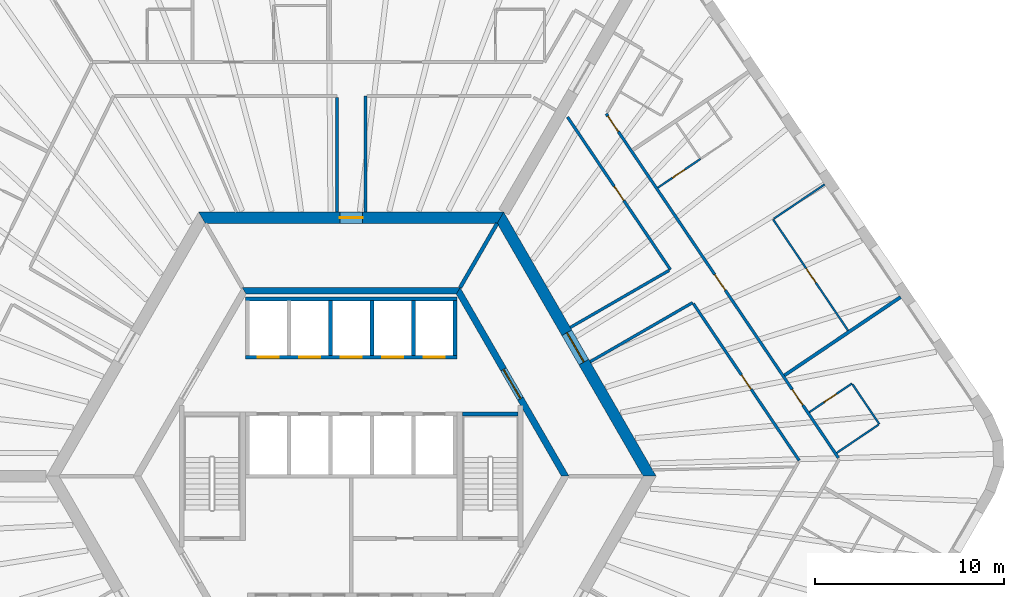
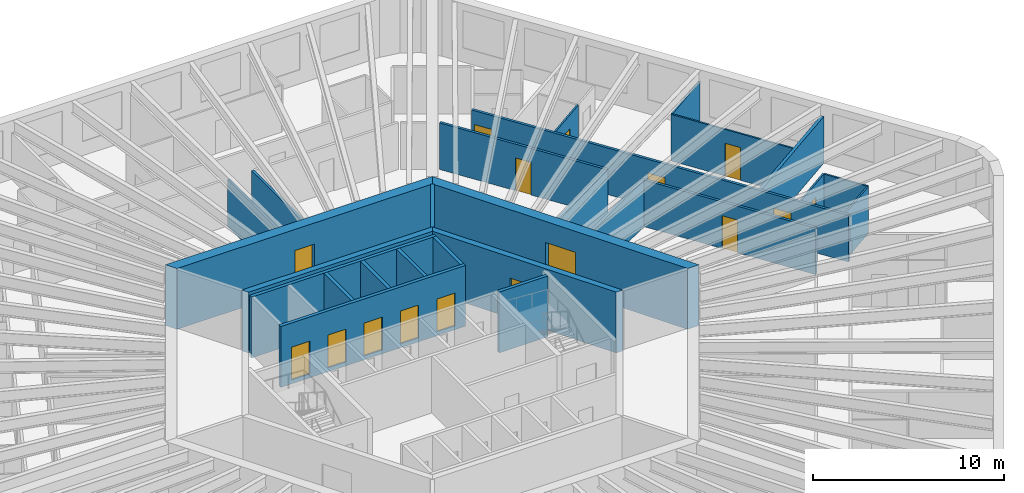
# One storey, part 9 of 12: 26 walls, 16 doors, 16 openings.
"""IFC4 building model written with IfcOpenShell, lengths in metres."""

from ifc_helpers import new_model, si_unit, direction, frame, frame_2d, origin, place, context, subcontext, project, spatial, polyline, rectangle, outline, extrude, material, layer, layer_set, type_object, element, fill, save


model = new_model("IFC4")

# Units and contexts
model_context = context("Model", 3, precision=1e-05, world=origin(), true_north=direction((0.0, 1.0)))
body_context = subcontext(model_context, "Body", "Model", "MODEL_VIEW")
ifc_project = project(units=[si_unit("LENGTHUNIT", "METRE"), si_unit("AREAUNIT", "SQUARE_METRE"), si_unit("VOLUMEUNIT", "CUBIC_METRE"), si_unit("PLANEANGLEUNIT", "RADIAN"), si_unit("MASSUNIT", "GRAM", prefix="KILO")], contexts=[model_context])

# Site, building, storey
site_placement = place(None, origin())
site = spatial("IfcSite", under=ifc_project, at=site_placement, CompositionType="ELEMENT")
building_placement = place(site_placement, origin())
building = spatial("IfcBuilding", under=site, at=building_placement, Name="Tarnside Tower", CompositionType="ELEMENT")
storey_placement = place(building_placement, frame((0.0, 0.0, 131.10009765625)))
storey = spatial("IfcBuildingStorey", under=building, at=storey_placement, Name="L30", CompositionType="ELEMENT", Elevation=131.10009765625)

# Wall, opening, door
ifc_material_1 = material(Name="Gypsum board partition on steel studs", Category="steel")
ifc_layer_1 = layer(ifc_material_1, 0.10009765625)
ifc_layer_set_1 = layer_set([ifc_layer_1], Name="Bathroom wall 100")
wall_type_1 = type_object("IfcWallType", Name="Bathroom wall 100", PredefinedType="PARTITIONING", material=ifc_layer_set_1)
wall_1_placement = place(storey_placement, frame((24.27978515625, 3.390869140625, 0.0), z_axis=(0.0, 0.0, 1.0), x_axis=(0.829005477618, 0.559240483226, 0.0)))
wall_1 = element("IfcWall", 1, at=wall_1_placement, inside=storey, type_object=wall_type_1, Name="Bathroom wall 09157", PredefinedType="PARTITIONING", context=body_context, shape_type="SweptSolid", body=[
    extrude(rectangle(XDim=2.72509765625, YDim=0.10009765625, at=frame_2d((1.362548828125, 0.0))), origin(), (0.0, 0.0, 1.0), 2.98779296875),
])
opening_1_placement = place(wall_1_placement, frame((0.925048828125, 0.0, 0.0)))
opening_1 = element("IfcOpeningElement", 2, at=opening_1_placement, cuts=wall_1, Name="Opening D-B1", PredefinedType="OPENING", context=body_context, shape_type="SweptSolid", body=[
    extrude(rectangle(XDim=0.800048828125, YDim=2.10009765625, at=frame_2d((0.39990234375, 1.050048828125))), frame((0.0, 0.06005859375, 0.0), z_axis=(0.0, -1.0, 0.0), x_axis=(1.0, 0.0, 0.0)), (0.0, 0.0, 1.0), 0.1201171875),
])
ifc_material_2 = material(Name="Timber door leaf", Category="wood")
door_type_1 = type_object("IfcDoorType", Name="Bathroom door 800", OperationType="NOTDEFINED", PredefinedType="DOOR", material=ifc_material_2)
door_1_placement = place(opening_1_placement, origin())
door_1 = element("IfcDoor", 3, at=door_1_placement, inside=storey, type_object=door_type_1, Name="Bathroom door 09038", OperationType="SINGLE_SWING_RIGHT", OverallHeight=2.10009765625, OverallWidth=0.800048828125, PredefinedType="DOOR", context=body_context, shape_type="SweptSolid", body=[
    extrude(rectangle(XDim=0.800048828125, YDim=2.10009765625, at=frame_2d((0.39990234375, 1.050048828125))), frame((0.0, 0.02490234375, 0.0), z_axis=(0.0, -1.0, 0.0), x_axis=(1.0, 0.0, 0.0)), (0.0, 0.0, 1.0), 0.050048828125),
])
fill(opening_1, door_1)

# Walls
wall_2_placement = place(storey_placement, frame((26.56689453125, 4.873291015625, 0.0), z_axis=(0.0, 0.0, 1.0), x_axis=(0.559155442782, -0.829062838878, 0.0)))
element("IfcWall", 4, at=wall_2_placement, inside=storey, type_object=wall_type_1, Name="Bathroom wall 09158", PredefinedType="PARTITIONING", context=body_context, shape_type="SweptSolid", body=[
    extrude(rectangle(XDim=2.5498046875, YDim=0.10009765625, at=frame_2d((1.27490234375, 0.0))), origin(), (0.0, 0.0, 1.0), 2.98779296875),
])
wall_3_placement = place(storey_placement, frame((27.951416015625, 2.731201171875, 0.0), z_axis=(0.0, 0.0, 1.0), x_axis=(-0.82904753069, -0.559178139645, 0.0)))
element("IfcWall", 5, at=wall_3_placement, inside=storey, type_object=wall_type_1, Name="Bathroom wall 09159", PredefinedType="PARTITIONING", context=body_context, shape_type="SweptSolid", body=[
    extrude(rectangle(XDim=2.675048828125, YDim=0.10009765625, at=frame_2d((1.33740234375, 0.0))), origin(), (0.0, 0.0, 1.0), 2.98779296875),
])

# Wall, opening, door
wall_4_placement = place(storey_placement, frame((18.51171875, 16.8154296875, 0.0), z_axis=(0.0, 0.0, 1.0), x_axis=(-0.829005477618, -0.559240483226, 0.0)))
wall_4 = element("IfcWall", 6, at=wall_4_placement, inside=storey, type_object=wall_type_1, Name="Bathroom wall 09162", PredefinedType="PARTITIONING", context=body_context, shape_type="SweptSolid", body=[
    extrude(rectangle(XDim=2.72509765625, YDim=0.10009765625, at=frame_2d((1.362548828125, 0.0))), origin(), (0.0, 0.0, 1.0), 2.98779296875),
])
opening_2_placement = place(wall_4_placement, frame((1.0, 0.0, 0.0)))
opening_2 = element("IfcOpeningElement", 7, at=opening_2_placement, cuts=wall_4, Name="Opening D-B1", PredefinedType="OPENING", context=body_context, shape_type="SweptSolid", body=[
    extrude(rectangle(XDim=0.800048828125, YDim=2.10009765625, at=frame_2d((0.39990234375, 1.050048828125))), frame((0.0, 0.06005859375, 0.0), z_axis=(0.0, -1.0, 0.0), x_axis=(1.0, 0.0, 0.0)), (0.0, 0.0, 1.0), 0.1201171875),
])
door_2_placement = place(opening_2_placement, origin())
door_2 = element("IfcDoor", 8, at=door_2_placement, inside=storey, type_object=door_type_1, Name="Bathroom door 09040", OperationType="SINGLE_SWING_LEFT", OverallHeight=2.10009765625, OverallWidth=0.800048828125, PredefinedType="DOOR", context=body_context, shape_type="SweptSolid", body=[
    extrude(rectangle(XDim=0.800048828125, YDim=2.10009765625, at=frame_2d((0.39990234375, 1.050048828125))), frame((0.0, 0.02490234375, 0.0), z_axis=(0.0, -1.0, 0.0), x_axis=(1.0, 0.0, 0.0)), (0.0, 0.0, 1.0), 0.050048828125),
])
fill(opening_2, door_2)

ifc_material_3 = material(Name="Concrete C50/60", Category="concrete")
ifc_layer_2 = layer(ifc_material_3, 0.35009765625)
ifc_layer_set_2 = layer_set([ifc_layer_2], Name="Core block wall 350 C50/60")
wall_type_2 = type_object("IfcWallType", Name="Core block wall 350 C50/60", PredefinedType="SHEAR", material=ifc_layer_set_2)
wall_5_placement = place(storey_placement, frame((11.344970703125, 0.0, -0.150146484375), z_axis=(0.0, 0.0, 1.0), x_axis=(-0.499995046907, 0.866028263435, 0.0)))
wall_5 = element("IfcWall", 9, at=wall_5_placement, inside=storey, type_object=wall_type_2, Name="L30 core block wall face 6", PredefinedType="SHEAR", context=body_context, shape_type="SweptSolid", body=[
    extrude(outline(polyline([(-0.10107421875, -0.175048828125), (11.44580078125, -0.175048828125), (11.24365234375, 0.175048828125), (0.10107421875, 0.175048828125), (-0.10107421875, -0.175048828125)])), origin(), (0.0, 0.0, 1.0), 3.900146484375),
])
opening_3_placement = place(wall_5_placement, frame((4.74365234375, 0.0, 0.14990234375)))
opening_3 = element("IfcOpeningElement", 10, at=opening_3_placement, cuts=wall_5, Name="Opening CD-LOB", PredefinedType="OPENING", context=body_context, shape_type="SweptSolid", body=[
    extrude(rectangle(XDim=1.800048828125, YDim=2.39990234375, at=frame_2d((0.89990234375, 1.199951171875))), frame((0.0, 0.18505859375, 0.0), z_axis=(0.0, -1.0, 0.0), x_axis=(1.0, 0.0, 0.0)), (0.0, 0.0, 1.0), 0.3701171875),
])
ifc_material_4 = material(Name="Steel fire door", Category="steel")
door_type_2 = type_object("IfcDoorType", Name="Lobby double door FD30S 1800x2400", OperationType="NOTDEFINED", PredefinedType="DOOR", material=ifc_material_4)
door_3_placement = place(opening_3_placement, origin())
door_3 = element("IfcDoor", 11, at=door_3_placement, inside=storey, type_object=door_type_2, Name="L30 lobby block door P2", OperationType="DOUBLE_DOOR_SINGLE_SWING", OverallHeight=2.39990234375, OverallWidth=1.800048828125, PredefinedType="DOOR", context=body_context, shape_type="SweptSolid", body=[
    extrude(rectangle(XDim=1.800048828125, YDim=2.39990234375, at=frame_2d((0.89990234375, 1.199951171875))), frame((0.0, 0.02490234375, 0.0), z_axis=(0.0, -1.0, 0.0), x_axis=(1.0, 0.0, 0.0)), (0.0, 0.0, 1.0), 0.050048828125),
])
fill(opening_3, door_3)

# Wall
wall_6_placement = place(storey_placement, frame((5.672607421875, 9.824951171875, -0.150146484375), z_axis=(0.0, 0.0, 1.0), x_axis=(-1.0, 0.0, 0.0)))
element("IfcWall", 12, at=wall_6_placement, inside=storey, type_object=wall_type_2, Name="L30 core block wall face 1", PredefinedType="SHEAR", context=body_context, shape_type="SweptSolid", body=[
    extrude(outline(polyline([(-0.10107421875, -0.175048828125), (11.4462890625, -0.175048828125), (11.244140625, 0.175048828125), (0.10107421875, 0.175048828125), (-0.10107421875, -0.175048828125)])), origin(), (0.0, 0.0, 1.0), 3.900146484375),
])

# Wall, opening, door
ifc_material_5 = material(Name="Concrete C80/95", Category="concrete")
ifc_layer_3 = layer(ifc_material_5, 0.60009765625)
ifc_layer_set_3 = layer_set([ifc_layer_3], Name="Core wall Z1 600 C80/95")
wall_type_3 = type_object("IfcWallType", Name="Core wall Z1 600 C80/95", PredefinedType="SHEAR", material=ifc_layer_set_3)
wall_7_placement = place(storey_placement, frame((15.8193359375, 0.0, -0.150146484375), z_axis=(0.0, 0.0, 1.0), x_axis=(-0.499999880136, 0.866025472988, 0.0)))
wall_7 = element("IfcWall", 13, at=wall_7_placement, inside=storey, type_object=wall_type_3, Name="L30 core wall face 6", PredefinedType="SHEAR", context=body_context, shape_type="SweptSolid", body=[
    extrude(outline(polyline([(-0.17333984375, -0.300048828125), (15.99267578125, -0.300048828125), (15.64599609375, 0.300048828125), (0.17333984375, 0.300048828125), (-0.17333984375, -0.300048828125)])), origin(), (0.0, 0.0, 1.0), 3.900146484375),
])
opening_4_placement = place(wall_7_placement, frame((6.980712890625, 0.0, 0.14990234375)))
opening_4 = element("IfcOpeningElement", 14, at=opening_4_placement, cuts=wall_7, Name="Opening CD-LOB", PredefinedType="OPENING", context=body_context, shape_type="SweptSolid", body=[
    extrude(rectangle(XDim=1.800048828125, YDim=2.39990234375, at=frame_2d((0.89990234375, 1.199951171875))), frame((0.0, 0.31005859375, 0.0), z_axis=(0.0, -1.0, 0.0), x_axis=(1.0, 0.0, 0.0)), (0.0, 0.0, 1.0), 0.6201171875),
])
door_4_placement = place(opening_4_placement, origin())
door_4 = element("IfcDoor", 15, at=door_4_placement, inside=storey, type_object=door_type_2, Name="L30 core door P2", OperationType="DOUBLE_DOOR_SINGLE_SWING", OverallHeight=2.39990234375, OverallWidth=1.800048828125, PredefinedType="DOOR", context=body_context, shape_type="SweptSolid", body=[
    extrude(rectangle(XDim=1.800048828125, YDim=2.39990234375, at=frame_2d((0.89990234375, 1.199951171875))), frame((0.0, 0.02490234375, 0.0), z_axis=(0.0, -1.0, 0.0), x_axis=(1.0, 0.0, 0.0)), (0.0, 0.0, 1.0), 0.050048828125),
])
fill(opening_4, door_4)

wall_8_placement = place(storey_placement, frame((7.90966796875, 13.699951171875, -0.150146484375), z_axis=(0.0, 0.0, 1.0), x_axis=(-1.0, 0.0, 0.0)))
wall_8 = element("IfcWall", 16, at=wall_8_placement, inside=storey, type_object=wall_type_3, Name="L30 core wall face 1", PredefinedType="SHEAR", context=body_context, shape_type="SweptSolid", body=[
    extrude(outline(polyline([(-0.17333984375, -0.300048828125), (15.99267578125, -0.300048828125), (15.64599609375, 0.300048828125), (0.17333984375, 0.300048828125), (-0.17333984375, -0.300048828125)])), origin(), (0.0, 0.0, 1.0), 3.900146484375),
])
opening_5_placement = place(wall_8_placement, frame((7.309814453125, 0.0, 0.14990234375)))
opening_5 = element("IfcOpeningElement", 17, at=opening_5_placement, cuts=wall_8, Name="Opening CD-RSR", PredefinedType="OPENING", context=body_context, shape_type="SweptSolid", body=[
    extrude(rectangle(XDim=1.199951171875, YDim=2.39990234375, at=frame_2d((0.60009765625, 1.199951171875))), frame((0.0, 0.31005859375, 0.0), z_axis=(0.0, -1.0, 0.0), x_axis=(1.0, 0.0, 0.0)), (0.0, 0.0, 1.0), 0.6201171875),
])
door_type_3 = type_object("IfcDoorType", Name="Riser door FD60 1200x2400", OperationType="NOTDEFINED", PredefinedType="DOOR", material=ifc_material_4)
door_5_placement = place(opening_5_placement, origin())
door_5 = element("IfcDoor", 18, at=door_5_placement, inside=storey, type_object=door_type_3, Name="L30 core door S5", OperationType="SINGLE_SWING_LEFT", OverallHeight=2.39990234375, OverallWidth=1.199951171875, PredefinedType="DOOR", context=body_context, shape_type="SweptSolid", body=[
    extrude(rectangle(XDim=1.199951171875, YDim=2.39990234375, at=frame_2d((0.60009765625, 1.199951171875))), frame((0.0, 0.02490234375, 0.0), z_axis=(0.0, -1.0, 0.0), x_axis=(1.0, 0.0, 0.0)), (0.0, 0.0, 1.0), 0.050048828125),
])
fill(opening_5, door_5)

# Walls
ifc_layer_4 = layer(ifc_material_1, 0.14990234375)
ifc_layer_set_4 = layer_set([ifc_layer_4], Name="Corridor wall 150 EI 60")
wall_type_4 = type_object("IfcWallType", Name="Corridor wall 150 EI 60", PredefinedType="PARTITIONING", material=ifc_layer_set_4)
wall_9_placement = place(storey_placement, frame((-0.75, 20.074951171875, 0.0), z_axis=(0.0, 0.0, 1.0), x_axis=(0.0, -1.0, 0.0)))
element("IfcWall", 19, at=wall_9_placement, inside=storey, type_object=wall_type_4, Name="Corridor wall 09018", PredefinedType="PARTITIONING", context=body_context, shape_type="SweptSolid", body=[
    extrude(rectangle(XDim=6.074951171875, YDim=0.14990234375, at=frame_2d((3.03759765625, 0.0))), origin(), (0.0, 0.0, 1.0), 2.98779296875),
])
wall_10_placement = place(storey_placement, frame((0.75, 14.0, 0.0), z_axis=(0.0, 0.0, 1.0), x_axis=(0.0, 1.0, 0.0)))
element("IfcWall", 20, at=wall_10_placement, inside=storey, type_object=wall_type_4, Name="Corridor wall 09022", PredefinedType="PARTITIONING", context=body_context, shape_type="SweptSolid", body=[
    extrude(rectangle(XDim=6.14990234375, YDim=0.14990234375, at=frame_2d((3.074951171875, 0.0))), origin(), (0.0, 0.0, 1.0), 2.98779296875),
])

# Wall, openings, doors
wall_11_placement = place(storey_placement, frame((25.820556640625, 0.972412109375, 0.0), z_axis=(0.0, 0.0, 1.0), x_axis=(-0.559193816298, 0.829036956845, 0.0)))
wall_11 = element("IfcWall", 21, at=wall_11_placement, inside=storey, type_object=wall_type_4, Name="Corridor wall 09060", PredefinedType="PARTITIONING", context=body_context, shape_type="SweptSolid", body=[
    extrude(rectangle(XDim=22.001708984375, YDim=0.14990234375, at=frame_2d((11.0009765625, 0.0))), origin(), (0.0, 0.0, 1.0), 2.98779296875),
])
opening_6_placement = place(wall_11_placement, frame((3.368896484375, 0.0, 0.0)))
opening_6 = element("IfcOpeningElement", 22, at=opening_6_placement, cuts=wall_11, Name="Opening D-E1", PredefinedType="OPENING", context=body_context, shape_type="SweptSolid", body=[
    extrude(rectangle(XDim=1.0, YDim=2.10009765625, at=frame_2d((0.5, 1.050048828125))), frame((0.0, 0.0849609375, 0.0), z_axis=(0.0, -1.0, 0.0), x_axis=(1.0, 0.0, 0.0)), (0.0, 0.0, 1.0), 0.169921875),
])
opening_7_placement = place(wall_11_placement, frame((10.721435546875, 0.0, 0.0)))
opening_7 = element("IfcOpeningElement", 23, at=opening_7_placement, cuts=wall_11, Name="Opening D-E1", PredefinedType="OPENING", context=body_context, shape_type="SweptSolid", body=[
    extrude(rectangle(XDim=1.0, YDim=2.10009765625, at=frame_2d((0.5, 1.050048828125))), frame((0.0, 0.0849609375, 0.0), z_axis=(0.0, -1.0, 0.0), x_axis=(1.0, 0.0, 0.0)), (0.0, 0.0, 1.0), 0.169921875),
])
opening_8_placement = place(wall_11_placement, frame((20.851806640625, 0.0, 0.0)))
opening_8 = element("IfcOpeningElement", 24, at=opening_8_placement, cuts=wall_11, Name="Opening D-E1", PredefinedType="OPENING", context=body_context, shape_type="SweptSolid", body=[
    extrude(rectangle(XDim=1.0, YDim=2.10009765625, at=frame_2d((0.5, 1.050048828125))), frame((0.0, 0.0849609375, 0.0), z_axis=(0.0, -1.0, 0.0), x_axis=(1.0, 0.0, 0.0)), (0.0, 0.0, 1.0), 0.169921875),
])
door_type_4 = type_object("IfcDoorType", Name="Unit entrance door 1000 FD30S", OperationType="NOTDEFINED", PredefinedType="DOOR", material=ifc_material_2)
door_6_placement = place(opening_6_placement, origin())
door_6 = element("IfcDoor", 25, at=door_6_placement, inside=storey, type_object=door_type_4, Name="Unit door 09037", OperationType="SINGLE_SWING_LEFT", OverallHeight=2.10009765625, OverallWidth=1.0, PredefinedType="DOOR", context=body_context, shape_type="SweptSolid", body=[
    extrude(rectangle(XDim=1.0, YDim=2.10009765625, at=frame_2d((0.5, 1.050048828125))), frame((0.0, 0.02490234375, 0.0), z_axis=(0.0, -1.0, 0.0), x_axis=(1.0, 0.0, 0.0)), (0.0, 0.0, 1.0), 0.050048828125),
])
fill(opening_6, door_6)
door_7_placement = place(opening_7_placement, origin())
door_7 = element("IfcDoor", 26, at=door_7_placement, inside=storey, type_object=door_type_4, Name="Unit door 09039", OperationType="SINGLE_SWING_RIGHT", OverallHeight=2.10009765625, OverallWidth=1.0, PredefinedType="DOOR", context=body_context, shape_type="SweptSolid", body=[
    extrude(rectangle(XDim=1.0, YDim=2.10009765625, at=frame_2d((0.5, 1.050048828125))), frame((0.0, 0.02490234375, 0.0), z_axis=(0.0, -1.0, 0.0), x_axis=(1.0, 0.0, 0.0)), (0.0, 0.0, 1.0), 0.050048828125),
])
fill(opening_7, door_7)
door_8_placement = place(opening_8_placement, origin())
door_8 = element("IfcDoor", 27, at=door_8_placement, inside=storey, type_object=door_type_4, Name="Unit door 09043", OperationType="SINGLE_SWING_LEFT", OverallHeight=2.10009765625, OverallWidth=1.0, PredefinedType="DOOR", context=body_context, shape_type="SweptSolid", body=[
    extrude(rectangle(XDim=1.0, YDim=2.10009765625, at=frame_2d((0.5, 1.050048828125))), frame((0.0, 0.02490234375, 0.0), z_axis=(0.0, -1.0, 0.0), x_axis=(1.0, 0.0, 0.0)), (0.0, 0.0, 1.0), 0.050048828125),
])
fill(opening_8, door_8)

# Wall
wall_12_placement = place(storey_placement, frame((12.663818359375, 6.065673828125, 0.0), z_axis=(0.0, 0.0, 1.0), x_axis=(0.866036561919, 0.499980673046, 0.0)))
element("IfcWall", 28, at=wall_12_placement, inside=storey, type_object=wall_type_4, Name="Corridor wall 09073", PredefinedType="PARTITIONING", context=body_context, shape_type="SweptSolid", body=[
    extrude(rectangle(XDim=6.274658203125, YDim=0.14990234375, at=frame_2d((3.13720703125, 0.0))), origin(), (0.0, 0.0, 1.0), 2.98779296875),
])

# Wall, opening, door
wall_13_placement = place(storey_placement, frame((18.139892578125, 9.140625, 0.0), z_axis=(0.0, 0.0, 1.0), x_axis=(0.55918799196, -0.829040885389, 0.0)))
wall_13 = element("IfcWall", 29, at=wall_13_placement, inside=storey, type_object=wall_type_4, Name="Corridor wall 09074", PredefinedType="PARTITIONING", context=body_context, shape_type="SweptSolid", body=[
    extrude(rectangle(XDim=10.025146484375, YDim=0.14990234375, at=frame_2d((5.0126953125, 0.0))), origin(), (0.0, 0.0, 1.0), 2.98779296875),
])
opening_9_placement = place(wall_13_placement, frame((4.562744140625, 0.0, 0.0)))
opening_9 = element("IfcOpeningElement", 30, at=opening_9_placement, cuts=wall_13, Name="Opening D-S1", PredefinedType="OPENING", context=body_context, shape_type="SweptSolid", body=[
    extrude(rectangle(XDim=0.89990234375, YDim=2.10009765625, at=frame_2d((0.449951171875, 1.050048828125))), frame((0.0, 0.0849609375, 0.0), z_axis=(0.0, -1.0, 0.0), x_axis=(1.0, 0.0, 0.0)), (0.0, 0.0, 1.0), 0.169921875),
])
door_type_5 = type_object("IfcDoorType", Name="Service room door 900 FD30S", OperationType="NOTDEFINED", PredefinedType="DOOR", material=ifc_material_2)
door_9_placement = place(opening_9_placement, origin())
door_9 = element("IfcDoor", 31, at=door_9_placement, inside=storey, type_object=door_type_5, Name="Service door 09054", OperationType="SINGLE_SWING_RIGHT", OverallHeight=2.10009765625, OverallWidth=0.89990234375, PredefinedType="DOOR", context=body_context, shape_type="SweptSolid", body=[
    extrude(rectangle(XDim=0.89990234375, YDim=2.10009765625, at=frame_2d((0.449951171875, 1.050048828125))), frame((0.0, 0.02490234375, 0.0), z_axis=(0.0, -1.0, 0.0), x_axis=(1.0, 0.0, 0.0)), (0.0, 0.0, 1.0), 0.050048828125),
])
fill(opening_9, door_9)

wall_14_placement = place(storey_placement, frame((11.464599609375, 19.037109375, 0.0), z_axis=(0.0, 0.0, 1.0), x_axis=(0.559196064773, -0.829035440221, 0.0)))
wall_14 = element("IfcWall", 32, at=wall_14_placement, inside=storey, type_object=wall_type_4, Name="Corridor wall 09079", PredefinedType="PARTITIONING", context=body_context, shape_type="SweptSolid", body=[
    extrude(rectangle(XDim=9.757080078125, YDim=0.14990234375, at=frame_2d((4.87841796875, 0.0))), origin(), (0.0, 0.0, 1.0), 2.98779296875),
])
opening_10_placement = place(wall_14_placement, frame((4.428466796875, 0.0, 0.0)))
opening_10 = element("IfcOpeningElement", 33, at=opening_10_placement, cuts=wall_14, Name="Opening D-S1", PredefinedType="OPENING", context=body_context, shape_type="SweptSolid", body=[
    extrude(rectangle(XDim=0.89990234375, YDim=2.10009765625, at=frame_2d((0.449951171875, 1.050048828125))), frame((0.0, 0.0849609375, 0.0), z_axis=(0.0, -1.0, 0.0), x_axis=(1.0, 0.0, 0.0)), (0.0, 0.0, 1.0), 0.169921875),
])
door_10_placement = place(opening_10_placement, origin())
door_10 = element("IfcDoor", 34, at=door_10_placement, inside=storey, type_object=door_type_5, Name="Service door 09056", OperationType="SINGLE_SWING_RIGHT", OverallHeight=2.10009765625, OverallWidth=0.89990234375, PredefinedType="DOOR", context=body_context, shape_type="SweptSolid", body=[
    extrude(rectangle(XDim=0.89990234375, YDim=2.10009765625, at=frame_2d((0.449951171875, 1.050048828125))), frame((0.0, 0.02490234375, 0.0), z_axis=(0.0, -1.0, 0.0), x_axis=(1.0, 0.0, 0.0)), (0.0, 0.0, 1.0), 0.050048828125),
])
fill(opening_10, door_10)

# Walls
wall_15_placement = place(storey_placement, frame((16.85546875, 10.91064453125, 0.0), z_axis=(0.0, 0.0, 1.0), x_axis=(-0.866020343444, -0.500008764664, 0.0)))
element("IfcWall", 35, at=wall_15_placement, inside=storey, type_object=wall_type_4, Name="Corridor wall 09080", PredefinedType="PARTITIONING", context=body_context, shape_type="SweptSolid", body=[
    extrude(rectangle(XDim=6.052734375, YDim=0.14990234375, at=frame_2d((3.0263671875, 0.0))), origin(), (0.0, 0.0, 1.0), 2.98779296875),
])
ifc_layer_5 = layer(ifc_material_1, 0.179931640625)
ifc_layer_set_5 = layer_set([ifc_layer_5], Name="Demising wall 180 EI 60")
wall_type_5 = type_object("IfcWallType", Name="Demising wall 180 EI 60", PredefinedType="PARTITIONING", material=ifc_layer_set_5)
wall_16_placement = place(storey_placement, frame((29.11865234375, 9.4951171875, 0.0), z_axis=(0.0, 0.0, 1.0), x_axis=(-0.829038452737, -0.559191598545, 0.0)))
element("IfcWall", 36, at=wall_16_placement, inside=storey, type_object=wall_type_5, Name="Demising wall 09160", PredefinedType="PARTITIONING", context=body_context, shape_type="SweptSolid", body=[
    extrude(rectangle(XDim=7.42529296875, YDim=0.179931640625, at=frame_2d((3.712646484375, 0.0))), origin(), (0.0, 0.0, 1.0), 2.98779296875),
])

# Wall, openings, doors
ifc_material_6 = material(Name="Concrete C40/50", Category="concrete")
ifc_layer_6 = layer(ifc_material_6, 0.199951171875)
ifc_layer_set_6 = layer_set([ifc_layer_6], Name="Lift shaft wall 200 C40/50")
wall_type_6 = type_object("IfcWallType", Name="Lift shaft wall 200 C40/50", PredefinedType="SHEAR", material=ifc_layer_set_6)
wall_17_placement = place(storey_placement, frame((-5.60009765625, 6.300048828125, -0.25), z_axis=(0.0, 0.0, 1.0), x_axis=(1.0, 0.0, 0.0)))
wall_17 = element("IfcWall", 37, at=wall_17_placement, inside=storey, type_object=wall_type_6, Name="L30 lift shaft front wall R1", PredefinedType="SHEAR", context=body_context, shape_type="SweptSolid", body=[
    extrude(rectangle(XDim=11.2001953125, YDim=0.199951171875, at=frame_2d((5.60009765625, 0.0))), origin(), (0.0, 0.0, 1.0), 3.89990234375),
])
opening_11_placement = place(wall_17_placement, frame((0.64990234375, 0.0, 0.25)))
opening_11 = element("IfcOpeningElement", 38, at=opening_11_placement, cuts=wall_17, Name="Opening LD", PredefinedType="OPENING", context=body_context, shape_type="SweptSolid", body=[
    extrude(rectangle(XDim=1.10009765625, YDim=2.10009765625, at=frame_2d((0.550048828125, 1.050048828125))), frame((0.0, 0.10986328125, 0.0), z_axis=(0.0, -1.0, 0.0), x_axis=(1.0, 0.0, 0.0)), (0.0, 0.0, 1.0), 0.219970703125),
])
opening_12_placement = place(wall_17_placement, frame((2.85009765625, 0.0, 0.25)))
opening_12 = element("IfcOpeningElement", 39, at=opening_12_placement, cuts=wall_17, Name="Opening LD", PredefinedType="OPENING", context=body_context, shape_type="SweptSolid", body=[
    extrude(rectangle(XDim=1.10009765625, YDim=2.10009765625, at=frame_2d((0.550048828125, 1.050048828125))), frame((0.0, 0.10986328125, 0.0), z_axis=(0.0, -1.0, 0.0), x_axis=(1.0, 0.0, 0.0)), (0.0, 0.0, 1.0), 0.219970703125),
])
opening_13_placement = place(wall_17_placement, frame((5.050048828125, 0.0, 0.25)))
opening_13 = element("IfcOpeningElement", 40, at=opening_13_placement, cuts=wall_17, Name="Opening LD", PredefinedType="OPENING", context=body_context, shape_type="SweptSolid", body=[
    extrude(rectangle(XDim=1.10009765625, YDim=2.10009765625, at=frame_2d((0.550048828125, 1.050048828125))), frame((0.0, 0.10986328125, 0.0), z_axis=(0.0, -1.0, 0.0), x_axis=(1.0, 0.0, 0.0)), (0.0, 0.0, 1.0), 0.219970703125),
])
opening_14_placement = place(wall_17_placement, frame((7.25, 0.0, 0.25)))
opening_14 = element("IfcOpeningElement", 41, at=opening_14_placement, cuts=wall_17, Name="Opening LD", PredefinedType="OPENING", context=body_context, shape_type="SweptSolid", body=[
    extrude(rectangle(XDim=1.10009765625, YDim=2.10009765625, at=frame_2d((0.550048828125, 1.050048828125))), frame((0.0, 0.10986328125, 0.0), z_axis=(0.0, -1.0, 0.0), x_axis=(1.0, 0.0, 0.0)), (0.0, 0.0, 1.0), 0.219970703125),
])
opening_15_placement = place(wall_17_placement, frame((9.449951171875, 0.0, 0.25)))
opening_15 = element("IfcOpeningElement", 42, at=opening_15_placement, cuts=wall_17, Name="Opening LD", PredefinedType="OPENING", context=body_context, shape_type="SweptSolid", body=[
    extrude(rectangle(XDim=1.10009765625, YDim=2.10009765625, at=frame_2d((0.550048828125, 1.050048828125))), frame((0.0, 0.10986328125, 0.0), z_axis=(0.0, -1.0, 0.0), x_axis=(1.0, 0.0, 0.0)), (0.0, 0.0, 1.0), 0.219970703125),
])
ifc_material_7 = material(Name="Stainless steel", Category="steel")
door_type_6 = type_object("IfcDoorType", Name="Lift landing door 1100x2100", OperationType="NOTDEFINED", PredefinedType="DOOR", material=ifc_material_7)
door_11_placement = place(opening_11_placement, origin())
door_11 = element("IfcDoor", 43, at=door_11_placement, inside=storey, type_object=door_type_6, Name="Low-rise lift 1 landing door L30", OperationType="SLIDING_TO_LEFT", OverallHeight=2.10009765625, OverallWidth=1.10009765625, PredefinedType="DOOR", context=body_context, shape_type="SweptSolid", body=[
    extrude(rectangle(XDim=1.10009765625, YDim=2.10009765625, at=frame_2d((0.550048828125, 1.050048828125))), frame((0.0, 0.02490234375, 0.0), z_axis=(0.0, -1.0, 0.0), x_axis=(1.0, 0.0, 0.0)), (0.0, 0.0, 1.0), 0.050048828125),
])
fill(opening_11, door_11)
door_12_placement = place(opening_12_placement, origin())
door_12 = element("IfcDoor", 44, at=door_12_placement, inside=storey, type_object=door_type_6, Name="Low-rise lift 2 landing door L30", OperationType="SLIDING_TO_LEFT", OverallHeight=2.10009765625, OverallWidth=1.10009765625, PredefinedType="DOOR", context=body_context, shape_type="SweptSolid", body=[
    extrude(rectangle(XDim=1.10009765625, YDim=2.10009765625, at=frame_2d((0.550048828125, 1.050048828125))), frame((0.0, 0.02490234375, 0.0), z_axis=(0.0, -1.0, 0.0), x_axis=(1.0, 0.0, 0.0)), (0.0, 0.0, 1.0), 0.050048828125),
])
fill(opening_12, door_12)
door_13_placement = place(opening_13_placement, origin())
door_13 = element("IfcDoor", 45, at=door_13_placement, inside=storey, type_object=door_type_6, Name="Low-rise lift 3 landing door L30", OperationType="SLIDING_TO_LEFT", OverallHeight=2.10009765625, OverallWidth=1.10009765625, PredefinedType="DOOR", context=body_context, shape_type="SweptSolid", body=[
    extrude(rectangle(XDim=1.10009765625, YDim=2.10009765625, at=frame_2d((0.550048828125, 1.050048828125))), frame((0.0, 0.02490234375, 0.0), z_axis=(0.0, -1.0, 0.0), x_axis=(1.0, 0.0, 0.0)), (0.0, 0.0, 1.0), 0.050048828125),
])
fill(opening_13, door_13)
door_14_placement = place(opening_14_placement, origin())
door_14 = element("IfcDoor", 46, at=door_14_placement, inside=storey, type_object=door_type_6, Name="Low sky-lobby shuttle 1 landing door L30", OperationType="SLIDING_TO_LEFT", OverallHeight=2.10009765625, OverallWidth=1.10009765625, PredefinedType="DOOR", context=body_context, shape_type="SweptSolid", body=[
    extrude(rectangle(XDim=1.10009765625, YDim=2.10009765625, at=frame_2d((0.550048828125, 1.050048828125))), frame((0.0, 0.02490234375, 0.0), z_axis=(0.0, -1.0, 0.0), x_axis=(1.0, 0.0, 0.0)), (0.0, 0.0, 1.0), 0.050048828125),
])
fill(opening_14, door_14)
door_15_placement = place(opening_15_placement, origin())
door_15 = element("IfcDoor", 47, at=door_15_placement, inside=storey, type_object=door_type_6, Name="Low sky-lobby shuttle 2 landing door L30", OperationType="SLIDING_TO_LEFT", OverallHeight=2.10009765625, OverallWidth=1.10009765625, PredefinedType="DOOR", context=body_context, shape_type="SweptSolid", body=[
    extrude(rectangle(XDim=1.10009765625, YDim=2.10009765625, at=frame_2d((0.550048828125, 1.050048828125))), frame((0.0, 0.02490234375, 0.0), z_axis=(0.0, -1.0, 0.0), x_axis=(1.0, 0.0, 0.0)), (0.0, 0.0, 1.0), 0.050048828125),
])
fill(opening_15, door_15)

# Walls
wall_18_placement = place(storey_placement, frame((-5.60009765625, 9.39990234375, -0.25), z_axis=(0.0, 0.0, 1.0), x_axis=(1.0, 0.0, 0.0)))
element("IfcWall", 48, at=wall_18_placement, inside=storey, type_object=wall_type_6, Name="L30 lift shaft back wall R1", PredefinedType="SHEAR", context=body_context, shape_type="SweptSolid", body=[
    extrude(rectangle(XDim=11.2001953125, YDim=0.199951171875, at=frame_2d((5.60009765625, 0.0))), origin(), (0.0, 0.0, 1.0), 3.89990234375),
])
for number, where, z_axis, x_axis, name in (
    (49, (-1.10009765625, 6.39990234375, -0.25), (0.0, 0.0, 1.0), (0.0, 1.0, 0.0), "L30 lift shaft partition R13"),
    (50, (1.10009765625, 6.39990234375, -0.25), (0.0, 0.0, 1.0), (0.0, 1.0, 0.0), "L30 lift shaft partition R14"),
    (51, (3.300048828125, 6.39990234375, -0.25), (0.0, 0.0, 1.0), (0.0, 1.0, 0.0), "L30 lift shaft partition R15"),
    (52, (5.5, 6.39990234375, -0.25), (0.0, 0.0, 1.0), (0.0, 1.0, 0.0), "L30 lift shaft partition R16"),
):
    element("IfcWall", number, at=place(storey_placement, frame(where, z_axis=z_axis, x_axis=x_axis)), inside=storey, type_object=wall_type_6, Name=name, PredefinedType="SHEAR", context=body_context, shape_type="SweptSolid", body=[
        extrude(rectangle(XDim=2.900146484375, YDim=0.199951171875, at=frame_2d((1.4501953125, 0.0))), origin(), (0.0, 0.0, 1.0), 3.89990234375),
    ])
wall_19_placement = place(storey_placement, frame((5.7734375, 10.0, -0.150146484375), z_axis=(0.0, 0.0, 1.0), x_axis=(0.500038251005, 0.86600331843, 0.0)))
element("IfcWall", 53, at=wall_19_placement, inside=storey, type_object=wall_type_6, Name="L30 core partition AR60", PredefinedType="SHEAR", context=body_context, shape_type="SweptSolid", body=[
    extrude(rectangle(XDim=3.926025390625, YDim=0.199951171875, at=frame_2d((1.962890625, 0.0))), origin(), (0.0, 0.0, 1.0), 3.900146484375),
])
wall_20_placement = place(storey_placement, frame((5.89990234375, 3.300048828125, -0.25), z_axis=(0.0, 0.0, 1.0), x_axis=(1.0, 0.0, 0.0)))
element("IfcWall", 54, at=wall_20_placement, inside=storey, type_object=wall_type_6, Name="L30 stair 1 enclosure cap wall n", PredefinedType="SHEAR", context=body_context, shape_type="SweptSolid", body=[
    extrude(rectangle(XDim=2.9501953125, YDim=0.199951171875, at=frame_2d((1.47509765625, 0.0))), origin(), (0.0, 0.0, 1.0), 3.89990234375),
])

# Wall, opening, door
ifc_layer_7 = layer(ifc_material_1, 0.10009765625)
ifc_layer_set_7 = layer_set([ifc_layer_7], Name="Partition 100")
wall_type_7 = type_object("IfcWallType", Name="Partition 100", PredefinedType="PARTITIONING", material=ifc_layer_set_7)
wall_21_placement = place(storey_placement, frame((26.33251953125, 7.724365234375, 0.0), z_axis=(0.0, 0.0, 1.0), x_axis=(-0.559185029686, 0.829042883435, 0.0)))
wall_21 = element("IfcWall", 55, at=wall_21_placement, inside=storey, type_object=wall_type_7, Name="Partition wall 09165", PredefinedType="PARTITIONING", context=body_context, shape_type="SweptSolid", body=[
    extrude(rectangle(XDim=7.110107421875, YDim=0.10009765625, at=frame_2d((3.55517578125, 0.0))), origin(), (0.0, 0.0, 1.0), 2.98779296875),
])
opening_16_placement = place(wall_21_placement, frame((3.06005859375, 0.0, 0.0)))
opening_16 = element("IfcOpeningElement", 56, at=opening_16_placement, cuts=wall_21, Name="Opening D-I1", PredefinedType="OPENING", context=body_context, shape_type="SweptSolid", body=[
    extrude(rectangle(XDim=0.89990234375, YDim=2.10009765625, at=frame_2d((0.449951171875, 1.050048828125))), frame((0.0, 0.06005859375, 0.0), z_axis=(0.0, -1.0, 0.0), x_axis=(1.0, 0.0, 0.0)), (0.0, 0.0, 1.0), 0.1201171875),
])
door_type_7 = type_object("IfcDoorType", Name="Internal door 900", OperationType="NOTDEFINED", PredefinedType="DOOR", material=ifc_material_2)
door_16_placement = place(opening_16_placement, origin())
door_16 = element("IfcDoor", 57, at=door_16_placement, inside=storey, type_object=door_type_7, Name="Internal door 09042", OperationType="SINGLE_SWING_RIGHT", OverallHeight=2.10009765625, OverallWidth=0.89990234375, PredefinedType="DOOR", context=body_context, shape_type="SweptSolid", body=[
    extrude(rectangle(XDim=0.89990234375, YDim=2.10009765625, at=frame_2d((0.449951171875, 1.050048828125))), frame((0.0, 0.02490234375, 0.0), z_axis=(0.0, -1.0, 0.0), x_axis=(1.0, 0.0, 0.0)), (0.0, 0.0, 1.0), 0.050048828125),
])
fill(opening_16, door_16)

# Wall
wall_22_placement = place(storey_placement, frame((22.39794921875, 13.646728515625, 0.0), z_axis=(0.0, 0.0, 1.0), x_axis=(0.829033253898, 0.55919930609, 0.0)))
element("IfcWall", 58, at=wall_22_placement, inside=storey, type_object=wall_type_7, Name="Partition wall 09166", PredefinedType="PARTITIONING", context=body_context, shape_type="SweptSolid", body=[
    extrude(rectangle(XDim=3.25, YDim=0.10009765625, at=frame_2d((1.625, 0.0))), origin(), (0.0, 0.0, 1.0), 2.98779296875),
])

save(model, "model.ifc")
